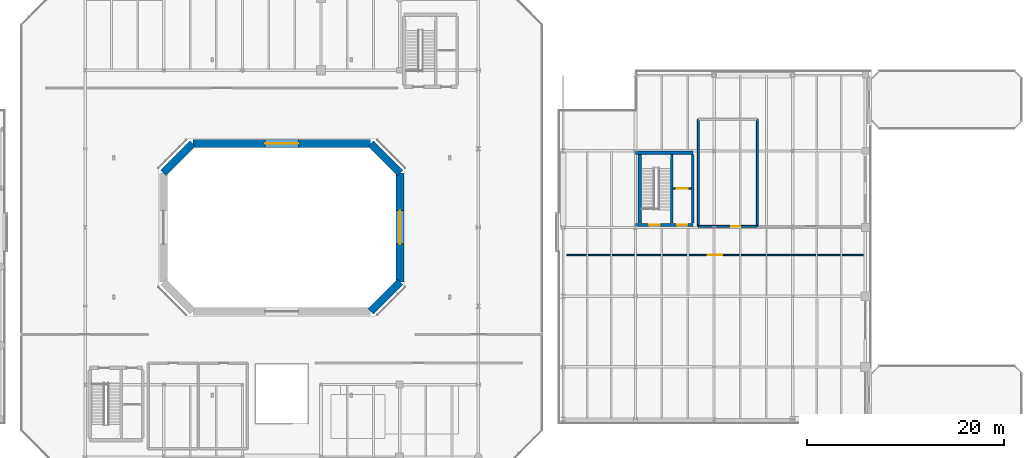
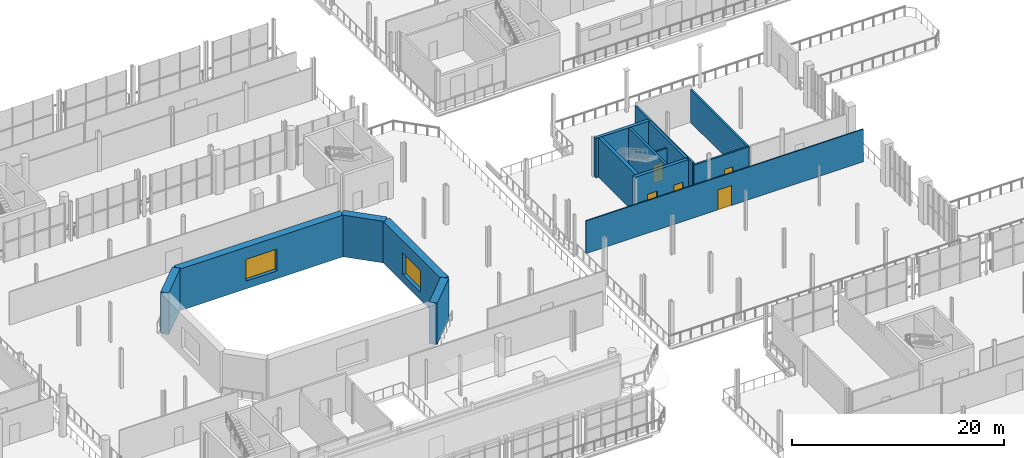
# One storey, part 71 of 93: 15 walls, 5 doors, 2 windows, 7 openings.
"""IFC4 building model written with IfcOpenShell, lengths in metres."""

from ifc_helpers import new_model, si_unit, direction, frame, frame_2d, origin, place, context, subcontext, project, spatial, rectangle, extrude, material, layer, layer_set, type_object, element, fill, save


model = new_model("IFC4")

# Units and contexts
model_context = context("Model", 3, precision=1e-05, world=origin(), true_north=direction((0.0, 1.0)))
body_context = subcontext(model_context, "Body", "Model", "MODEL_VIEW")
ifc_project = project(units=[si_unit("LENGTHUNIT", "METRE"), si_unit("AREAUNIT", "SQUARE_METRE"), si_unit("VOLUMEUNIT", "CUBIC_METRE"), si_unit("PLANEANGLEUNIT", "RADIAN"), si_unit("MASSUNIT", "GRAM", prefix="KILO")], contexts=[model_context])

# Site, building, storey
site_placement = place(None, origin())
site = spatial("IfcSite", under=ifc_project, at=site_placement, CompositionType="ELEMENT")
building_placement = place(site_placement, origin())
building = spatial("IfcBuilding", under=site, at=building_placement, Name="Brisemont Oceanarium", CompositionType="ELEMENT")
storey_placement = place(building_placement, frame((0.0, 0.0, 5.39990234375)))
storey = spatial("IfcBuildingStorey", under=building, at=storey_placement, Name="L01", CompositionType="ELEMENT", Elevation=5.39990234375)

# Wall, opening, door
ifc_material_1 = material(Name="Moisture-Resistant Gypsum Steel-Stud Partition", Category="steel")
ifc_layer_1 = layer(ifc_material_1, 0.159912109375)
ifc_layer_set_1 = layer_set([ifc_layer_1], Name="Moisture-Resistant Gypsum Steel-Stud Partition")
wall_type_1 = type_object("IfcWallType", Name="IW-FB-160", PredefinedType="PARTITIONING", material=ifc_layer_set_1)
wall_1_placement = place(storey_placement, frame((123.85009765625, 59.969970703125, 0.0), z_axis=(0.0, 0.0, 1.0), x_axis=(1.0, 0.0, 0.0)))
wall_1 = element("IfcWall", 1, at=wall_1_placement, inside=storey, type_object=wall_type_1, Name="Core C6 L01 lift hoistway front wall", PredefinedType="PARTITIONING", context=body_context, shape_type="SweptSolid", body=[
    extrude(rectangle(XDim=1.83984375, YDim=0.159912109375, at=frame_2d((0.919921875, 0.0))), origin(), (0.0, 0.0, 1.0), 3.60009765625),
])
opening_1_placement = place(wall_1_placement, frame((0.3701171875, 0.0, 0.0)))
opening_1 = element("IfcOpeningElement", 2, at=opening_1_placement, cuts=wall_1, Name="Opening LD-01", PredefinedType="OPENING", context=body_context, shape_type="SweptSolid", body=[
    extrude(rectangle(XDim=1.10009765625, YDim=2.14990234375, at=frame_2d((0.550048828125, 1.074951171875))), frame((0.0, 0.08984375, 0.0), z_axis=(0.0, -1.0, 0.0), x_axis=(1.0, 0.0, 0.0)), (0.0, 0.0, 1.0), 0.179931640625),
])
ifc_material_2 = material(Name="Duplex Stainless Steel EN 1.4462", Category="steel")
door_type_1 = type_object("IfcDoorType", Name="DR-LIFT-1100X2150", OperationType="NOTDEFINED", PredefinedType="DOOR", material=ifc_material_2)
door_1_placement = place(opening_1_placement, origin())
door_1 = element("IfcDoor", 3, at=door_1_placement, inside=storey, type_object=door_type_1, Name="Lift landing door LF-06 L01", OperationType="SLIDING_TO_LEFT", OverallHeight=2.14990234375, OverallWidth=1.10009765625, PredefinedType="DOOR", context=body_context, shape_type="SweptSolid", body=[
    extrude(rectangle(XDim=1.10009765625, YDim=2.14990234375, at=frame_2d((0.550048828125, 1.074951171875))), frame((0.0, 0.02490234375, 0.0), z_axis=(0.0, -1.0, 0.0), x_axis=(1.0, 0.0, 0.0)), (0.0, 0.0, 1.0), 0.050048828125),
])
fill(opening_1, door_1)

ifc_material_3 = material(Name="Moisture-Resistant Gypsum Steel-Stud Partition", Category="steel")
ifc_layer_2 = layer(ifc_material_3, 0.1201171875)
ifc_layer_set_2 = layer_set([ifc_layer_2], Name="Moisture-Resistant Gypsum Steel-Stud Partition")
wall_type_2 = type_object("IfcWallType", Name="IW-PART-120", PredefinedType="PARTITIONING", material=ifc_layer_set_2)
wall_2_placement = place(storey_placement, frame((113.0, 53.199951171875, 0.0), z_axis=(0.0, 0.0, 1.0), x_axis=(1.0, 0.0, 0.0)))
wall_2 = element("IfcWall", 4, at=wall_2_placement, inside=storey, type_object=wall_type_2, Name="Barrier Reef Lagoon Exhibit Gallery corridor partition", PredefinedType="PARTITIONING", context=body_context, shape_type="SweptSolid", body=[
    extrude(rectangle(XDim=30.199951171875, YDim=0.1201171875, at=frame_2d((15.10009765625, 0.0))), origin(), (0.0, 0.0, 1.0), 3.758056640625),
])
opening_2_placement = place(wall_2_placement, frame((14.35009765625, 0.0, 0.0)))
opening_2 = element("IfcOpeningElement", 5, at=opening_2_placement, cuts=wall_2, Name="Opening GD-03", PredefinedType="OPENING", context=body_context, shape_type="SweptSolid", body=[
    extrude(rectangle(XDim=1.5, YDim=2.300048828125, at=frame_2d((0.75, 1.14990234375))), frame((0.0, 0.070068359375, 0.0), z_axis=(0.0, -1.0, 0.0), x_axis=(1.0, 0.0, 0.0)), (0.0, 0.0, 1.0), 0.14013671875),
])
ifc_material_4 = material(Name="Patinated Architectural Bronze C38500")
door_type_2 = type_object("IfcDoorType", Name="DR-GAL-1500X2300", OperationType="NOTDEFINED", PredefinedType="DOOR", material=ifc_material_4)
door_2_placement = place(opening_2_placement, origin())
door_2 = element("IfcDoor", 6, at=door_2_placement, inside=storey, type_object=door_type_2, Name="GD-03 door to Barrier Reef Lagoon Exhibit Gallery", OperationType="SINGLE_SWING_RIGHT", OverallHeight=2.300048828125, OverallWidth=1.5, PredefinedType="DOOR", context=body_context, shape_type="SweptSolid", body=[
    extrude(rectangle(XDim=1.5, YDim=2.300048828125, at=frame_2d((0.75, 1.14990234375))), frame((0.0, 0.02490234375, 0.0), z_axis=(0.0, -1.0, 0.0), x_axis=(1.0, 0.0, 0.0)), (0.0, 0.0, 1.0), 0.050048828125),
])
fill(opening_2, door_2)

ifc_material_5 = material(Name="Cementitious Tile-Backer Plumbing Wall")
ifc_layer_3 = layer(ifc_material_5, 0.199951171875)
ifc_layer_set_3 = layer_set([ifc_layer_3], Name="Cementitious Tile-Backer Plumbing Wall")
wall_type_3 = type_object("IfcWallType", Name="IW-PLUMB-200", PredefinedType="PLUMBINGWALL", material=ifc_layer_set_3)
wall_3_placement = place(storey_placement, frame((126.39990234375, 56.10009765625, 0.0), z_axis=(0.0, 0.0, 1.0), x_axis=(1.0, 0.0, 0.0)))
wall_3 = element("IfcWall", 7, at=wall_3_placement, inside=storey, type_object=wall_type_3, Name="Public Restroom corridor partition", PredefinedType="PLUMBINGWALL", context=body_context, shape_type="SweptSolid", body=[
    extrude(rectangle(XDim=6.0, YDim=0.199951171875, at=frame_2d((3.0, 0.0))), origin(), (0.0, 0.0, 1.0), 3.758056640625),
])
opening_3_placement = place(wall_3_placement, frame((3.345947265625, 0.0, 0.0)))
opening_3 = element("IfcOpeningElement", 8, at=opening_3_placement, cuts=wall_3, Name="Opening D-03", PredefinedType="OPENING", context=body_context, shape_type="SweptSolid", body=[
    extrude(rectangle(XDim=0.909912109375, YDim=2.10009765625, at=frame_2d((0.455078125, 1.050048828125))), frame((0.0, 0.10986328125, 0.0), z_axis=(0.0, -1.0, 0.0), x_axis=(1.0, 0.0, 0.0)), (0.0, 0.0, 1.0), 0.219970703125),
])
ifc_material_6 = material(Name="FSC White Oak Solid-Core Fire Door")
door_type_3 = type_object("IfcDoorType", Name="DR-WC-910X2100", OperationType="NOTDEFINED", PredefinedType="DOOR", material=ifc_material_6)
door_3_placement = place(opening_3_placement, origin())
door_3 = element("IfcDoor", 9, at=door_3_placement, inside=storey, type_object=door_type_3, Name="D-03 door to Public Restroom", OperationType="SINGLE_SWING_LEFT", OverallHeight=2.10009765625, OverallWidth=0.909912109375, PredefinedType="DOOR", context=body_context, shape_type="SweptSolid", body=[
    extrude(rectangle(XDim=0.909912109375, YDim=2.10009765625, at=frame_2d((0.455078125, 1.050048828125))), frame((0.0, 0.02490234375, 0.0), z_axis=(0.0, -1.0, 0.0), x_axis=(1.0, 0.0, 0.0)), (0.0, 0.0, 1.0), 0.050048828125),
])
fill(opening_3, door_3)

# Walls
wall_4_placement = place(storey_placement, frame((126.39990234375, 56.10009765625, 0.0), z_axis=(0.0, 0.0, 1.0), x_axis=(0.0, 1.0, 0.0)))
element("IfcWall", 10, at=wall_4_placement, inside=storey, type_object=wall_type_3, Name="Public Restroom enclosure wall W", PredefinedType="PLUMBINGWALL", context=body_context, shape_type="SweptSolid", body=[
    extrude(rectangle(XDim=10.89990234375, YDim=0.199951171875, at=frame_2d((5.449951171875, 0.0))), origin(), (0.0, 0.0, 1.0), 3.987060546875),
])
wall_5_placement = place(storey_placement, frame((132.39990234375, 56.10009765625, 0.0), z_axis=(0.0, 0.0, 1.0), x_axis=(0.0, 1.0, 0.0)))
element("IfcWall", 11, at=wall_5_placement, inside=storey, type_object=wall_type_3, Name="Public Restroom enclosure wall E", PredefinedType="PLUMBINGWALL", context=body_context, shape_type="SweptSolid", body=[
    extrude(rectangle(XDim=10.89990234375, YDim=0.199951171875, at=frame_2d((5.449951171875, 0.0))), origin(), (0.0, 0.0, 1.0), 3.758056640625),
])
ifc_material_7 = material(Name="Concrete C40/50", Category="concrete")
ifc_layer_4 = layer(ifc_material_7, 0.260009765625)
ifc_layer_set_4 = layer_set([ifc_layer_4], Name="Concrete C40/50")
wall_type_4 = type_object("IfcWallType", Name="SW-SHAFT-260", PredefinedType="SHEAR", material=ifc_layer_set_4)
for number, where, z_axis, x_axis, name in (
    (12, (125.85009765625, 56.449951171875, 0.0), (0.0, 0.0, 1.0), (0.0, 1.0, 0.0), "Core C6 L01 E RC shear wall"),
    (13, (123.669921875, 56.449951171875, 0.0), (0.0, 0.0, 1.0), (0.0, 1.0, 0.0), "Core C6 L01 MID RC shear wall"),
):
    element("IfcWall", number, at=place(storey_placement, frame(where, z_axis=z_axis, x_axis=x_axis)), inside=storey, type_object=wall_type_4, Name=name, PredefinedType="SHEAR", context=body_context, shape_type="SweptSolid", body=[
        extrude(rectangle(XDim=6.949951171875, YDim=0.260009765625, at=frame_2d((3.47509765625, 0.0))), origin(), (0.0, 0.0, 1.0), 4.550048828125),
    ])

# Wall, openings, doors
ifc_material_8 = material(Name="Concrete C40/50", Category="concrete")
ifc_layer_5 = layer(ifc_material_8, 0.35009765625)
ifc_layer_set_5 = layer_set([ifc_layer_5], Name="Concrete C40/50")
wall_type_5 = type_object("IfcWallType", Name="SW-STAIR-350", PredefinedType="SHEAR", material=ifc_layer_set_5)
wall_6_placement = place(storey_placement, frame((120.0, 56.25, 0.0), z_axis=(0.0, 0.0, 1.0), x_axis=(1.0, 0.0, 0.0)))
wall_6 = element("IfcWall", 14, at=wall_6_placement, inside=storey, type_object=wall_type_5, Name="Core C6 L01 corridor RC shear wall", PredefinedType="SHEAR", context=body_context, shape_type="SweptSolid", body=[
    extrude(rectangle(XDim=5.85009765625, YDim=0.35009765625, at=frame_2d((2.925048828125, 0.0))), origin(), (0.0, 0.0, 1.0), 4.550048828125),
])
opening_4_placement = place(wall_6_placement, frame((1.39990234375, 0.0, 0.0)))
opening_4 = element("IfcOpeningElement", 15, at=opening_4_placement, cuts=wall_6, Name="Opening SD-02", PredefinedType="OPENING", context=body_context, shape_type="SweptSolid", body=[
    extrude(rectangle(XDim=1.050048828125, YDim=2.10009765625, at=frame_2d((0.52490234375, 1.050048828125))), frame((0.0, 0.18505859375, 0.0), z_axis=(0.0, -1.0, 0.0), x_axis=(1.0, 0.0, 0.0)), (0.0, 0.0, 1.0), 0.3701171875),
])
opening_5_placement = place(wall_6_placement, frame((4.25, 0.0, 0.0)))
opening_5 = element("IfcOpeningElement", 16, at=opening_5_placement, cuts=wall_6, Name="Opening FD90-2", PredefinedType="OPENING", context=body_context, shape_type="SweptSolid", body=[
    extrude(rectangle(XDim=1.0, YDim=2.14990234375, at=frame_2d((0.5, 1.074951171875))), frame((0.0, 0.18505859375, 0.0), z_axis=(0.0, -1.0, 0.0), x_axis=(1.0, 0.0, 0.0)), (0.0, 0.0, 1.0), 0.3701171875),
])
ifc_material_9 = material(Name="FSC White Oak Solid-Core Fire Door")
door_type_4 = type_object("IfcDoorType", Name="DR-LOB-1000X2150", OperationType="NOTDEFINED", PredefinedType="DOOR", material=ifc_material_9)
door_4_placement = place(opening_5_placement, origin())
door_4 = element("IfcDoor", 17, at=door_4_placement, inside=storey, type_object=door_type_4, Name="Lift lobby door C6 L01", OperationType="SINGLE_SWING_LEFT", OverallHeight=2.14990234375, OverallWidth=1.0, PredefinedType="DOOR", context=body_context, shape_type="SweptSolid", body=[
    extrude(rectangle(XDim=1.0, YDim=2.14990234375, at=frame_2d((0.5, 1.074951171875))), frame((0.0, 0.02490234375, 0.0), z_axis=(0.0, -1.0, 0.0), x_axis=(1.0, 0.0, 0.0)), (0.0, 0.0, 1.0), 0.050048828125),
])
fill(opening_5, door_4)
ifc_material_10 = material(Name="Duplex Stainless Steel EN 1.4462", Category="steel")
door_type_5 = type_object("IfcDoorType", Name="DR-STAIR-1050X2100", OperationType="NOTDEFINED", PredefinedType="DOOR", material=ifc_material_10)
door_5_placement = place(opening_4_placement, origin())
door_5 = element("IfcDoor", 18, at=door_5_placement, inside=storey, type_object=door_type_5, Name="Exit stair door ST-06 L01", OperationType="SINGLE_SWING_RIGHT", OverallHeight=2.10009765625, OverallWidth=1.050048828125, PredefinedType="DOOR", context=body_context, shape_type="SweptSolid", body=[
    extrude(rectangle(XDim=1.050048828125, YDim=2.10009765625, at=frame_2d((0.52490234375, 1.050048828125))), frame((0.0, 0.02490234375, 0.0), z_axis=(0.0, -1.0, 0.0), x_axis=(1.0, 0.0, 0.0)), (0.0, 0.0, 1.0), 0.050048828125),
])
fill(opening_4, door_5)

# Walls
wall_7_placement = place(storey_placement, frame((120.0, 63.60009765625, 0.0), z_axis=(0.0, 0.0, 1.0), x_axis=(1.0, 0.0, 0.0)))
element("IfcWall", 19, at=wall_7_placement, inside=storey, type_object=wall_type_5, Name="Core C6 L01 BCK RC shear wall", PredefinedType="SHEAR", context=body_context, shape_type="SweptSolid", body=[
    extrude(rectangle(XDim=5.85009765625, YDim=0.35009765625, at=frame_2d((2.925048828125, 0.0))), origin(), (0.0, 0.0, 1.0), 4.550048828125),
])
wall_8_placement = place(storey_placement, frame((120.449951171875, 56.449951171875, 0.0), z_axis=(0.0, 0.0, 1.0), x_axis=(0.0, 1.0, 0.0)))
element("IfcWall", 20, at=wall_8_placement, inside=storey, type_object=wall_type_5, Name="Core C6 L01 W RC shear wall", PredefinedType="SHEAR", context=body_context, shape_type="SweptSolid", body=[
    extrude(rectangle(XDim=6.949951171875, YDim=0.35009765625, at=frame_2d((3.47509765625, 0.0))), origin(), (0.0, 0.0, 1.0), 4.550048828125),
])
ifc_material_11 = material(Name="Concrete C40/50", Category="concrete")
ifc_layer_6 = layer(ifc_material_11, 0.800048828125)
ifc_layer_set_6 = layer_set([ifc_layer_6], Name="Concrete C40/50")
wall_type_6 = type_object("IfcWallType", Name="SW-TANK-800", PredefinedType="SOLIDWALL", material=ifc_layer_set_6)
wall_9_placement = place(storey_placement, frame((93.050048828125, 47.449951171875, 0.0), z_axis=(0.0, 0.0, 1.0), x_axis=(0.707106781187, 0.707106781187, 0.0)))
element("IfcWall", 21, at=wall_9_placement, inside=storey, type_object=wall_type_6, Name="V4 Ocean Tank L01 vessel wall 2", PredefinedType="SOLIDWALL", context=body_context, shape_type="SweptSolid", body=[
    extrude(rectangle(XDim=4.24267578125, YDim=0.800048828125, at=frame_2d((2.121337890625, 0.0))), origin(), (0.0, 0.0, 1.0), 4.800048828125),
])

# Wall, opening, window
wall_10_placement = place(storey_placement, frame((96.050048828125, 50.449951171875, 0.0), z_axis=(0.0, 0.0, 1.0), x_axis=(0.0, 1.0, 0.0)))
wall_10 = element("IfcWall", 22, at=wall_10_placement, inside=storey, type_object=wall_type_6, Name="V4 Ocean Tank L01 vessel wall 3", PredefinedType="SOLIDWALL", context=body_context, shape_type="SweptSolid", body=[
    extrude(rectangle(XDim=11.10009765625, YDim=0.800048828125, at=frame_2d((5.550048828125, 0.0))), origin(), (0.0, 0.0, 1.0), 4.800048828125),
])
opening_6_placement = place(wall_10_placement, frame((3.85009765625, 0.0, 0.89990234375)))
opening_6 = element("IfcOpeningElement", 23, at=opening_6_placement, cuts=wall_10, Name="Opening VW-03", PredefinedType="OPENING", context=body_context, shape_type="SweptSolid", body=[
    extrude(rectangle(XDim=3.39990234375, YDim=2.5, at=frame_2d((1.699951171875, 1.25))), frame((0.0, 0.409912109375, 0.0), z_axis=(0.0, -1.0, 0.0), x_axis=(1.0, 0.0, 0.0)), (0.0, 0.0, 1.0), 0.820068359375),
])
ifc_material_12 = material(Name="Cast Polymethyl Methacrylate PMMA")
window_type = type_object("IfcWindowType", Name="WIN-PMMA-3400X2500", PartitioningType="SINGLE_PANEL", PredefinedType="WINDOW", material=ifc_material_12)
window_1_placement = place(opening_6_placement, origin())
window_1 = element("IfcWindow", 24, at=window_1_placement, inside=storey, type_object=window_type, Name="VW-03 cast-PMMA ocean tank viewing window L01.3", OverallHeight=2.5, OverallWidth=3.39990234375, PartitioningType="SINGLE_PANEL", PredefinedType="WINDOW", context=body_context, shape_type="SweptSolid", body=[
    extrude(rectangle(XDim=3.39990234375, YDim=2.5, at=frame_2d((1.699951171875, 1.25))), frame((0.0, 0.030029296875, 0.0), z_axis=(0.0, -1.0, 0.0), x_axis=(1.0, 0.0, 0.0)), (0.0, 0.0, 1.0), 0.06005859375),
])
fill(opening_6, window_1)

# Wall
wall_11_placement = place(storey_placement, frame((96.050048828125, 61.550048828125, 0.0), z_axis=(0.0, 0.0, 1.0), x_axis=(-0.707106781187, 0.707106781187, 0.0)))
element("IfcWall", 25, at=wall_11_placement, inside=storey, type_object=wall_type_6, Name="V4 Ocean Tank L01 vessel wall 4", PredefinedType="SOLIDWALL", context=body_context, shape_type="SweptSolid", body=[
    extrude(rectangle(XDim=4.24267578125, YDim=0.800048828125, at=frame_2d((2.121337890625, 0.0))), origin(), (0.0, 0.0, 1.0), 4.800048828125),
])

# Wall, opening, window
wall_12_placement = place(storey_placement, frame((93.050048828125, 64.550048828125, 0.0), z_axis=(0.0, 0.0, 1.0), x_axis=(-1.0, 0.0, 0.0)))
wall_12 = element("IfcWall", 26, at=wall_12_placement, inside=storey, type_object=wall_type_6, Name="V4 Ocean Tank L01 vessel wall 5", PredefinedType="SOLIDWALL", context=body_context, shape_type="SweptSolid", body=[
    extrude(rectangle(XDim=18.10009765625, YDim=0.800048828125, at=frame_2d((9.050048828125, 0.0))), origin(), (0.0, 0.0, 1.0), 4.800048828125),
])
opening_7_placement = place(wall_12_placement, frame((7.35009765625, 0.0, 0.89990234375)))
opening_7 = element("IfcOpeningElement", 27, at=opening_7_placement, cuts=wall_12, Name="Opening VW-03", PredefinedType="OPENING", context=body_context, shape_type="SweptSolid", body=[
    extrude(rectangle(XDim=3.39990234375, YDim=2.5, at=frame_2d((1.699951171875, 1.25))), frame((0.0, 0.409912109375, 0.0), z_axis=(0.0, -1.0, 0.0), x_axis=(1.0, 0.0, 0.0)), (0.0, 0.0, 1.0), 0.820068359375),
])
window_2_placement = place(opening_7_placement, origin())
window_2 = element("IfcWindow", 28, at=window_2_placement, inside=storey, type_object=window_type, Name="VW-03 cast-PMMA ocean tank viewing window L01.5", OverallHeight=2.5, OverallWidth=3.39990234375, PartitioningType="SINGLE_PANEL", PredefinedType="WINDOW", context=body_context, shape_type="SweptSolid", body=[
    extrude(rectangle(XDim=3.39990234375, YDim=2.5, at=frame_2d((1.699951171875, 1.25))), frame((0.0, 0.030029296875, 0.0), z_axis=(0.0, -1.0, 0.0), x_axis=(1.0, 0.0, 0.0)), (0.0, 0.0, 1.0), 0.06005859375),
])
fill(opening_7, window_2)

# Wall
wall_13_placement = place(storey_placement, frame((74.949951171875, 64.550048828125, 0.0), z_axis=(0.0, 0.0, 1.0), x_axis=(-0.707106781187, -0.707106781187, 0.0)))
element("IfcWall", 29, at=wall_13_placement, inside=storey, type_object=wall_type_6, Name="V4 Ocean Tank L01 vessel wall 6", PredefinedType="SOLIDWALL", context=body_context, shape_type="SweptSolid", body=[
    extrude(rectangle(XDim=4.24267578125, YDim=0.800048828125, at=frame_2d((2.121337890625, 0.0))), origin(), (0.0, 0.0, 1.0), 4.800048828125),
])

save(model, "model.ifc")
